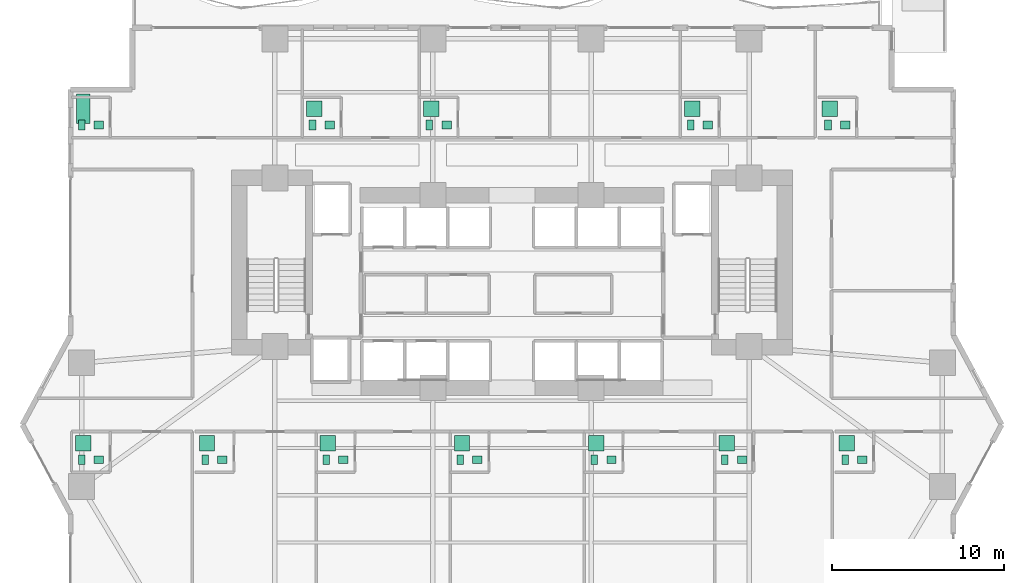
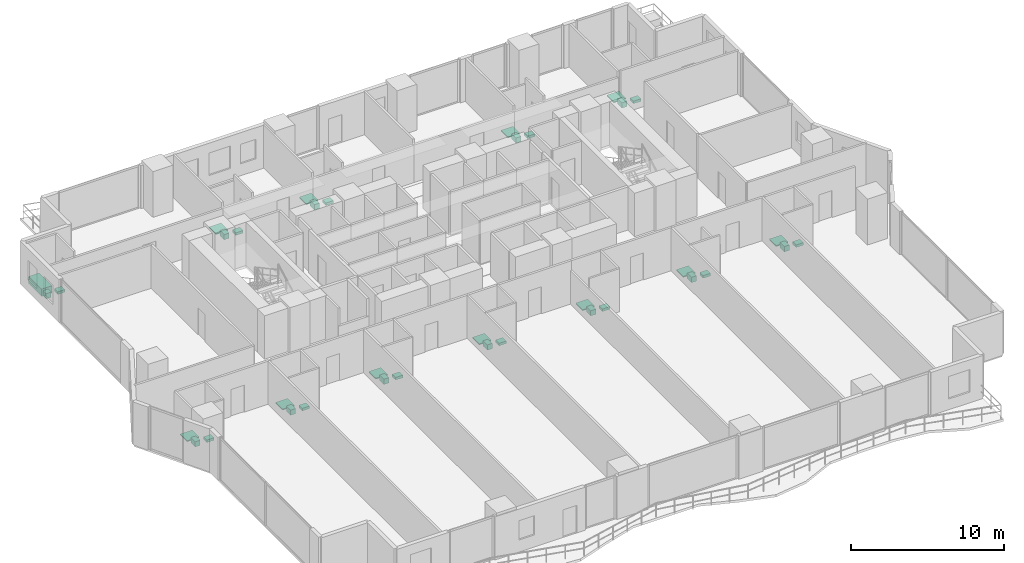
# One storey, part 28 of 28: 36 sanitary terminals.
"""IFC4 building model written with IfcOpenShell, lengths in metres."""

import ifcopenshell
import ifcopenshell.guid

model = None  # the IFC model being written
_history = None  # IfcOwnerHistory: only IFC2X3 demands one
_inside = {}  # id of a spatial element -> (the spatial element, [elements in it])
_under = {}  # id of a project, library or spatial element -> (it, [spatial elements below it])
_declared = {}  # id of a project -> (the project, [libraries it declares])
_typed = {}  # id of a type object -> (the type object, [elements of that type])
_made_of = {}  # id of a material, layer set ... -> (it, [elements and type objects made of it])


def new_model(schema):
    """Start an empty IFC model of exactly this schema.

    Asked for "IFC4X3", IfcOpenShell would pick the latest addendum, in which some entities
    have other attributes; the version numbers below select the first issue.
    IFC2X3 requires an IfcOwnerHistory on every rooted entity: one is made here for all.
    """
    global model, _history
    if schema == "IFC4X3":
        model = ifcopenshell.file(schema_version=(4, 3, 0, 0))
    else:
        model = ifcopenshell.file(schema=schema)
    _inside.clear()
    _under.clear()
    _declared.clear()
    _typed.clear()
    _made_of.clear()
    _history = None
    if model.schema == "IFC2X3":
        org = make("IfcOrganization", Name="unknown")
        user = make(
            "IfcPersonAndOrganization",
            ThePerson=make("IfcPerson", FamilyName="unknown"),
            TheOrganization=org,
        )
        app = make(
            "IfcApplication",
            ApplicationDeveloper=org,
            Version="unknown",
            ApplicationFullName="unknown",
            ApplicationIdentifier="unknown",
        )
        _history = make(
            "IfcOwnerHistory",
            OwningUser=user,
            OwningApplication=app,
            ChangeAction="ADDED",
            CreationDate=0,
        )
    return model


def make(cls, **values):
    """One entity of the class cls with the attributes given. An attribute that is None is left unset."""
    return model.create_entity(
        cls, **{name: value for name, value in values.items() if value is not None}
    )


def rooted(cls, **values):
    """An entity with a GlobalId (a new one), such as an element, a storey or a relation."""
    return make(cls, GlobalId=ifcopenshell.guid.new(), OwnerHistory=_history, **values)


def si_unit(unit_type, name, prefix=None):
    """IfcSIUnit, for example si_unit("LENGTHUNIT", "METRE", prefix="MILLI")."""
    return make("IfcSIUnit", UnitType=unit_type, Prefix=prefix, Name=name)


def assignment(units):
    """IfcUnitAssignment: the units of a project."""
    return None if units is None else make("IfcUnitAssignment", Units=units)


def point(xyz):
    """IfcCartesianPoint."""
    return None if xyz is None else make("IfcCartesianPoint", Coordinates=xyz)


def direction(xyz):
    """IfcDirection."""
    return None if xyz is None else make("IfcDirection", DirectionRatios=xyz)


def frame(location, z_axis=None, x_axis=None):
    """IfcAxis2Placement3D, a coordinate frame: its origin and axes. An axis left out is left unset."""
    return make(
        "IfcAxis2Placement3D",
        Location=point(location),
        Axis=direction(z_axis),
        RefDirection=direction(x_axis),
    )


def frame_2d(location, x_axis=None):
    """IfcAxis2Placement2D, a coordinate frame in the plane: its origin and x axis."""
    return make(
        "IfcAxis2Placement2D", Location=point(location), RefDirection=direction(x_axis)
    )


def origin():
    """The frame at (0, 0, 0) with its axes left unset."""
    return frame((0.0, 0.0, 0.0))


def origin_2d():
    """The frame at (0, 0) in the plane with its x axis left unset."""
    return frame_2d((0.0, 0.0))


def place(relative_to, where):
    """IfcLocalPlacement: puts the frame where relative to a parent placement (None: the world)."""
    return make(
        "IfcLocalPlacement", PlacementRelTo=relative_to, RelativePlacement=where
    )


def context(
    kind, dimensions, precision=None, world=None, true_north=None, identifier=None
):
    """IfcGeometricRepresentationContext, for example the 3D "Model" context."""
    return make(
        "IfcGeometricRepresentationContext",
        ContextIdentifier=identifier,
        ContextType=kind,
        CoordinateSpaceDimension=dimensions,
        Precision=precision,
        WorldCoordinateSystem=world,
        TrueNorth=true_north,
    )


def subcontext(parent, identifier, kind, view, scale=None):
    """IfcGeometricRepresentationSubContext, for example "Body" below "Model"."""
    return make(
        "IfcGeometricRepresentationSubContext",
        ContextIdentifier=identifier,
        ContextType=kind,
        ParentContext=parent,
        TargetScale=scale,
        TargetView=view,
    )


def project(units=None, contexts=None):
    """IfcProject with its units and contexts."""
    return rooted(
        "IfcProject",
        Name="project",
        RepresentationContexts=contexts,
        UnitsInContext=assignment(units),
    )


def spatial(cls, under=None, at=None, **own):
    """A site, building, storey or space (cls), placed at a placement, below another one or the project."""
    s = rooted(cls, ObjectPlacement=at, **own)
    if under is not None:
        _under.setdefault(under.id(), (under, []))[1].append(s)
    return s


def profile(cls, at=None, kind="AREA", **sizes):
    """A parametric profile (cls). Its sizes go by their IFC names, for example OverallWidth=200.0."""
    return make(cls, ProfileType=kind, Position=at, **sizes)


def rectangle(**sizes):
    """IfcRectangleProfileDef."""
    return profile("IfcRectangleProfileDef", **sizes)


def extrude(swept, where, along, depth):
    """IfcExtrudedAreaSolid: the profile swept, set in the frame where, extruded along a direction by depth."""
    return make(
        "IfcExtrudedAreaSolid",
        SweptArea=swept,
        Position=where,
        ExtrudedDirection=direction(along),
        Depth=depth,
    )


def shape(context_of_items, identifier, shape_type, items):
    """IfcShapeRepresentation: the items that make up one representation, for example the "Body"."""
    return make(
        "IfcShapeRepresentation",
        ContextOfItems=context_of_items,
        RepresentationIdentifier=identifier,
        RepresentationType=shape_type,
        Items=items,
    )


def material(Name=None, Category=None):
    """IfcMaterial."""
    return make("IfcMaterial", Name=Name, Category=Category)


def made_of(thing, what):
    """Note that an element or type object is made of a material, layer set ...; save() writes the relation."""
    if what is not None:
        _made_of.setdefault(what.id(), (what, []))[1].append(thing)
    return thing


def type_object(cls, material=None, **own):
    """A type object (cls), such as IfcWallType, which elements share."""
    return made_of(rooted(cls, **own), material)


def element(
    cls,
    number,
    at=None,
    inside=None,
    cuts=None,
    type_object=None,
    material=None,
    context=None,
    identifier="Body",
    shape_type=None,
    held_by="IfcProductDefinitionShape",
    body=None,
    shapes=None,
    **own,
):
    """One element of the class cls, such as IfcWall. Its Tag is "e" and its number.

    at: its placement. inside: the storey or other place that contains it. cuts: it is an
    opening in that element (IfcRelVoidsElement). A single representation is given by context,
    identifier, shape_type and body (its items); several are given by shapes. held_by: the class
    of the entity that holds the representations. save() writes the other relations.
    """
    e = rooted(cls, Tag="e%d" % number, ObjectPlacement=at, **own)
    if body is not None:
        shapes = [shape(context, identifier, shape_type, body)]
    if shapes is not None:
        e.Representation = make(held_by, Representations=shapes)
    if inside is not None:
        _inside.setdefault(inside.id(), (inside, []))[1].append(e)
    if cuts is not None:
        rooted(
            "IfcRelVoidsElement", RelatingBuildingElement=cuts, RelatedOpeningElement=e
        )
    if type_object is not None:
        _typed.setdefault(type_object.id(), (type_object, []))[1].append(e)
    return made_of(e, material)


def aggregate(whole, parts):
    """IfcRelAggregates: a whole, such as a stair, and the parts it consists of."""
    return rooted("IfcRelAggregates", RelatingObject=whole, RelatedObjects=parts)


def save(model, path):
    """Write the relations noted so far, then the file.

    IfcRelAggregates (storeys below a building ...), IfcRelContainedInSpatialStructure (elements
    in a storey), IfcRelDefinesByType, IfcRelAssociatesMaterial and IfcRelDeclares: one each for
    every whole, place, type object, material and project.
    """
    for whole, parts in _under.values():
        aggregate(whole, parts)
    for where, things in _inside.values():
        rooted(
            "IfcRelContainedInSpatialStructure",
            RelatedElements=things,
            RelatingStructure=where,
        )
    for kind, things in _typed.values():
        rooted("IfcRelDefinesByType", RelatedObjects=things, RelatingType=kind)
    for what, things in _made_of.values():
        rooted("IfcRelAssociatesMaterial", RelatedObjects=things, RelatingMaterial=what)
    for by, libraries in _declared.values():
        rooted("IfcRelDeclares", RelatingContext=by, RelatedDefinitions=libraries)
    model.write(path)


model = new_model("IFC4")

# Units and contexts
model_context = context("Model", 3, precision=1e-05, world=origin(), true_north=direction((0.0, 1.0)))
body_context = subcontext(model_context, "Body", "Model", "MODEL_VIEW")
ifc_project = project(units=[si_unit("LENGTHUNIT", "METRE"), si_unit("AREAUNIT", "SQUARE_METRE"), si_unit("VOLUMEUNIT", "CUBIC_METRE"), si_unit("PLANEANGLEUNIT", "RADIAN"), si_unit("MASSUNIT", "GRAM", prefix="KILO")], contexts=[model_context])

# Site, building, storey
site_placement = place(None, origin())
site = spatial("IfcSite", under=ifc_project, at=site_placement, CompositionType="ELEMENT")
building_placement = place(site_placement, origin())
building = spatial("IfcBuilding", under=site, at=building_placement, Name="Zuhayl Quay Hotel", CompositionType="ELEMENT")
storey_placement = place(building_placement, frame((0.0, 0.0, 49.5)))
storey = spatial("IfcBuildingStorey", under=building, at=storey_placement, Name="L11", CompositionType="ELEMENT", Elevation=49.5)

# Sanitary terminals
ifc_material = material(Name="Vitreous Porcelain Sanitaryware")
sanitary_terminal_type_1 = type_object("IfcSanitaryTerminalType", Name="SAN_BASIN", PredefinedType="WASHHANDBASIN", material=ifc_material)
for number, where, z_axis, x_axis, name in (
    (1, (-24.050048828125, 17.43994140625, 0.0), (0.0, 0.0, 1.0), (1.0, 0.0, 0.0), "L11 Sanitary Fixture WASHHANDBASIN"),
    (2, (-10.610107421875, 17.43994140625, 0.0), (0.0, 0.0, 1.0), (1.0, 0.0, 0.0), "L11 Sanitary Fixture WASHHANDBASIN"),
    (3, (-3.81005859375, 17.43994140625, 0.0), (0.0, 0.0, 1.0), (1.0, 0.0, 0.0), "L11 Sanitary Fixture WASHHANDBASIN"),
    (4, (11.389892578125, 17.43994140625, 0.0), (0.0, 0.0, 1.0), (1.0, 0.0, 0.0), "L11 Sanitary Fixture WASHHANDBASIN"),
    (5, (19.389892578125, 17.43994140625, 0.0), (0.0, 0.0, 1.0), (1.0, 0.0, 0.0), "L11 Sanitary Fixture WASHHANDBASIN"),
    (6, (-24.050048828125, -2.0400390625, 0.0), (0.0, 0.0, 1.0), (1.0, 0.0, 0.0), "L11 Sanitary Fixture WASHHANDBASIN"),
    (7, (-16.85009765625, -2.0400390625, 0.0), (0.0, 0.0, 1.0), (1.0, 0.0, 0.0), "L11 Sanitary Fixture WASHHANDBASIN"),
    (8, (-9.81005859375, -2.0400390625, 0.0), (0.0, 0.0, 1.0), (1.0, 0.0, 0.0), "L11 Sanitary Fixture WASHHANDBASIN"),
    (9, (-2.010009765625, -2.0400390625, 0.0), (0.0, 0.0, 1.0), (1.0, 0.0, 0.0), "L11 Sanitary Fixture WASHHANDBASIN"),
    (10, (5.7900390625, -2.0400390625, 0.0), (0.0, 0.0, 1.0), (1.0, 0.0, 0.0), "L11 Sanitary Fixture WASHHANDBASIN"),
    (11, (13.389892578125, -2.0400390625, 0.0), (0.0, 0.0, 1.0), (1.0, 0.0, 0.0), "L11 Sanitary Fixture WASHHANDBASIN"),
    (12, (20.389892578125, -2.0400390625, 0.0), (0.0, 0.0, 1.0), (1.0, 0.0, 0.0), "L11 Sanitary Fixture WASHHANDBASIN"),
):
    element("IfcSanitaryTerminal", number, at=place(storey_placement, frame(where, z_axis=z_axis, x_axis=x_axis)), inside=storey, type_object=sanitary_terminal_type_1, Name=name, PredefinedType="WASHHANDBASIN", context=body_context, shape_type="SweptSolid", body=[
        extrude(rectangle(XDim=0.550048828125, YDim=0.449951171875, at=origin_2d()), origin(), (0.0, 0.0, 1.0), 0.199951171875),
    ])
sanitary_terminal_type_2 = type_object("IfcSanitaryTerminalType", Name="SAN_BATH", PredefinedType="BATH", material=ifc_material)
sanitary_terminal_placement = place(storey_placement, frame((-24.949951171875, 18.389892578125, 0.0), z_axis=(0.0, 0.0, 1.0), x_axis=(1.0, 0.0, 0.0)))
element("IfcSanitaryTerminal", 13, at=sanitary_terminal_placement, inside=storey, type_object=sanitary_terminal_type_2, Name="L11 Sanitary Fixture BATH", PredefinedType="BATH", context=body_context, shape_type="SweptSolid", body=[
    extrude(rectangle(XDim=0.800048828125, YDim=1.699951171875, at=origin_2d()), origin(), (0.0, 0.0, 1.0), 0.580078125),
])
sanitary_terminal_type_3 = type_object("IfcSanitaryTerminalType", Name="SAN_SHOWER", PredefinedType="SHOWER", material=ifc_material)
for number, where, z_axis, x_axis, name in (
    (14, (-11.510009765625, 18.389892578125, 0.0), (0.0, 0.0, 1.0), (1.0, 0.0, 0.0), "L11 Sanitary Fixture SHOWER"),
    (15, (-4.7099609375, 18.389892578125, 0.0), (0.0, 0.0, 1.0), (1.0, 0.0, 0.0), "L11 Sanitary Fixture SHOWER"),
    (16, (10.489990234375, 18.389892578125, 0.0), (0.0, 0.0, 1.0), (1.0, 0.0, 0.0), "L11 Sanitary Fixture SHOWER"),
    (17, (18.489990234375, 18.389892578125, 0.0), (0.0, 0.0, 1.0), (1.0, 0.0, 0.0), "L11 Sanitary Fixture SHOWER"),
    (18, (-24.949951171875, -1.090087890625, 0.0), (0.0, 0.0, 1.0), (1.0, 0.0, 0.0), "L11 Sanitary Fixture SHOWER"),
    (19, (-17.75, -1.090087890625, 0.0), (0.0, 0.0, 1.0), (1.0, 0.0, 0.0), "L11 Sanitary Fixture SHOWER"),
    (20, (-10.7099609375, -1.090087890625, 0.0), (0.0, 0.0, 1.0), (1.0, 0.0, 0.0), "L11 Sanitary Fixture SHOWER"),
    (21, (-2.909912109375, -1.090087890625, 0.0), (0.0, 0.0, 1.0), (1.0, 0.0, 0.0), "L11 Sanitary Fixture SHOWER"),
    (22, (4.889892578125, -1.090087890625, 0.0), (0.0, 0.0, 1.0), (1.0, 0.0, 0.0), "L11 Sanitary Fixture SHOWER"),
    (23, (12.489990234375, -1.090087890625, 0.0), (0.0, 0.0, 1.0), (1.0, 0.0, 0.0), "L11 Sanitary Fixture SHOWER"),
    (24, (19.489990234375, -1.090087890625, 0.0), (0.0, 0.0, 1.0), (1.0, 0.0, 0.0), "L11 Sanitary Fixture SHOWER"),
):
    element("IfcSanitaryTerminal", number, at=place(storey_placement, frame(where, z_axis=z_axis, x_axis=x_axis)), inside=storey, type_object=sanitary_terminal_type_3, Name=name, PredefinedType="SHOWER", context=body_context, shape_type="SweptSolid", body=[
        extrude(rectangle(XDim=0.89990234375, YDim=0.89990234375, at=origin_2d()), origin(), (0.0, 0.0, 1.0), 0.080078125),
    ])
sanitary_terminal_type_4 = type_object("IfcSanitaryTerminalType", Name="SAN_WC", PredefinedType="TOILETPAN", material=ifc_material)
for number, where, z_axis, x_axis, name in (
    (25, (-25.050048828125, 17.43994140625, 0.0), (0.0, 0.0, 1.0), (1.0, 0.0, 0.0), "L11 Sanitary Fixture TOILETPAN"),
    (26, (-11.610107421875, 17.43994140625, 0.0), (0.0, 0.0, 1.0), (1.0, 0.0, 0.0), "L11 Sanitary Fixture TOILETPAN"),
    (27, (-4.81005859375, 17.43994140625, 0.0), (0.0, 0.0, 1.0), (1.0, 0.0, 0.0), "L11 Sanitary Fixture TOILETPAN"),
    (28, (10.389892578125, 17.43994140625, 0.0), (0.0, 0.0, 1.0), (1.0, 0.0, 0.0), "L11 Sanitary Fixture TOILETPAN"),
    (29, (18.389892578125, 17.43994140625, 0.0), (0.0, 0.0, 1.0), (1.0, 0.0, 0.0), "L11 Sanitary Fixture TOILETPAN"),
    (30, (-25.050048828125, -2.0400390625, 0.0), (0.0, 0.0, 1.0), (1.0, 0.0, 0.0), "L11 Sanitary Fixture TOILETPAN"),
    (31, (-17.85009765625, -2.0400390625, 0.0), (0.0, 0.0, 1.0), (1.0, 0.0, 0.0), "L11 Sanitary Fixture TOILETPAN"),
    (32, (-10.81005859375, -2.0400390625, 0.0), (0.0, 0.0, 1.0), (1.0, 0.0, 0.0), "L11 Sanitary Fixture TOILETPAN"),
    (33, (-3.010009765625, -2.0400390625, 0.0), (0.0, 0.0, 1.0), (1.0, 0.0, 0.0), "L11 Sanitary Fixture TOILETPAN"),
    (34, (4.7900390625, -2.0400390625, 0.0), (0.0, 0.0, 1.0), (1.0, 0.0, 0.0), "L11 Sanitary Fixture TOILETPAN"),
    (35, (12.389892578125, -2.0400390625, 0.0), (0.0, 0.0, 1.0), (1.0, 0.0, 0.0), "L11 Sanitary Fixture TOILETPAN"),
    (36, (19.389892578125, -2.0400390625, 0.0), (0.0, 0.0, 1.0), (1.0, 0.0, 0.0), "L11 Sanitary Fixture TOILETPAN"),
):
    element("IfcSanitaryTerminal", number, at=place(storey_placement, frame(where, z_axis=z_axis, x_axis=x_axis)), inside=storey, type_object=sanitary_terminal_type_4, Name=name, PredefinedType="TOILETPAN", context=body_context, shape_type="SweptSolid", body=[
        extrude(rectangle(XDim=0.3798828125, YDim=0.56005859375, at=origin_2d()), origin(), (0.0, 0.0, 1.0), 0.419921875),
    ])

save(model, "model.ifc")
